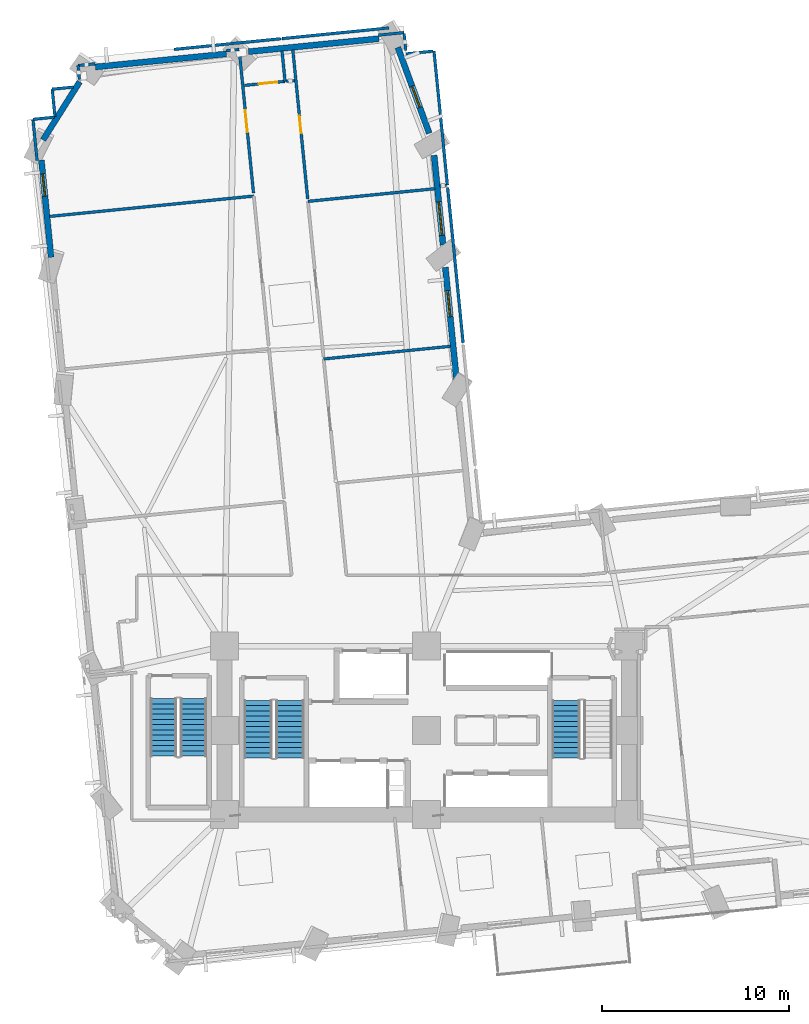
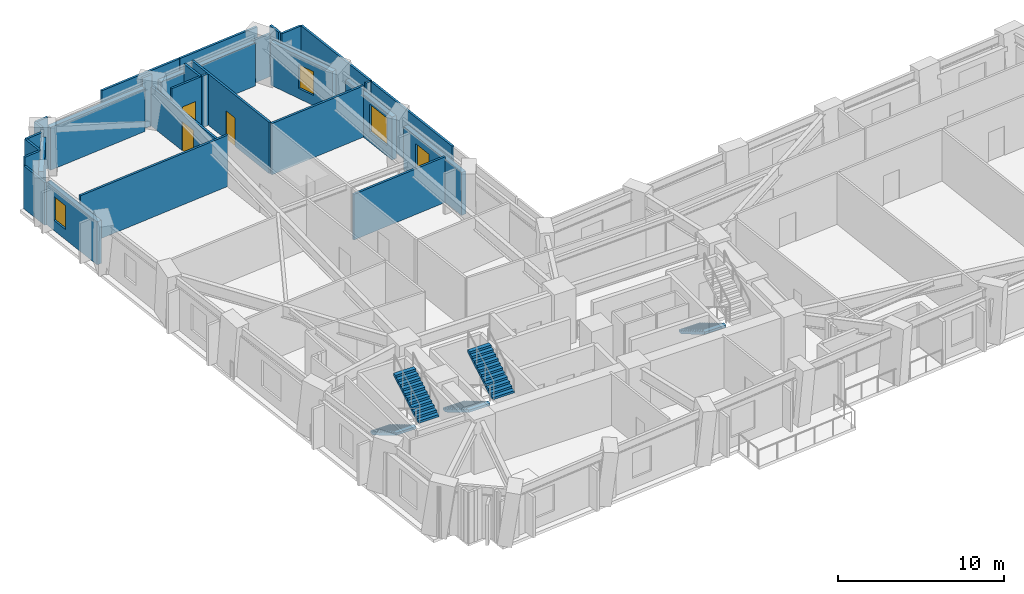
# One storey, part 11 of 16: 30 walls, 5 stair flights, 4 windows, 3 doors, 7 openings, 3 elements without a shape of their own.
"""IFC4 building model written with IfcOpenShell, lengths in metres."""

from ifc_helpers import new_model, si_unit, direction, frame, frame_2d, origin, place, context, subcontext, project, spatial, polyline, rectangle, outline, extrude, material, layer, layer_set, type_object, element, fill, aggregate, save


model = new_model("IFC4")

# Units and contexts
model_context = context("Model", 3, precision=1e-05, world=origin(), true_north=direction((0.0, 1.0)))
body_context = subcontext(model_context, "Body", "Model", "MODEL_VIEW")
ifc_project = project(units=[si_unit("LENGTHUNIT", "METRE"), si_unit("AREAUNIT", "SQUARE_METRE"), si_unit("VOLUMEUNIT", "CUBIC_METRE"), si_unit("PLANEANGLEUNIT", "RADIAN"), si_unit("MASSUNIT", "GRAM", prefix="KILO")], contexts=[model_context])

# Site, building, storey
site_placement = place(None, origin())
site = spatial("IfcSite", under=ifc_project, at=site_placement, CompositionType="ELEMENT")
building_placement = place(site_placement, origin())
building = spatial("IfcBuilding", under=site, at=building_placement, Name="Gaonmaruhae Medical Tower", CompositionType="ELEMENT")
storey_placement = place(building_placement, frame((0.0, 0.0, 47.0)))
storey = spatial("IfcBuildingStorey", under=building, at=storey_placement, Name="L10", CompositionType="ELEMENT", Elevation=47.0)

# Wall, opening, window
ifc_material_1 = material(Name="Precast concrete C45/55", Category="concrete")
ifc_layer_1 = layer(ifc_material_1, 0.320068359375)
ifc_layer_set_1 = layer_set([ifc_layer_1], Name="Precast concrete C45/55")
wall_type_1 = type_object("IfcWallType", Name="EW-320 Lower Precast Masonry-Frame Facade Wall", PredefinedType="SOLIDWALL", material=ifc_layer_set_1)
wall_1_placement = place(storey_placement, frame((26.39208984375, 31.06591796875, 0.0), z_axis=(0.0, 0.0, 1.0), x_axis=(-0.099342473641, 0.995053301553, 0.0)))
wall_1 = element("IfcWall", 1, at=wall_1_placement, inside=storey, type_object=wall_type_1, Name="L10 Precast Masonry-Frame Wall NE01-NE02", PredefinedType="SOLIDWALL", context=body_context, shape_type="SweptSolid", body=[
    extrude(rectangle(XDim=5.996337890625, YDim=0.320068359375, at=frame_2d((2.998046875, 0.0))), origin(), (0.0, 0.0, 1.0), 3.1650390625),
])
opening_1_placement = place(wall_1_placement, frame((3.345703125, 0.0, 0.75)))
opening_1 = element("IfcOpeningElement", 2, at=opening_1_placement, cuts=wall_1, Name="Opening WN-03", PredefinedType="OPENING", context=body_context, shape_type="SweptSolid", body=[
    extrude(rectangle(XDim=1.39990234375, YDim=1.85009765625, at=frame_2d((0.699951171875, 0.925048828125))), frame((0.0, 0.169921875, 0.0), z_axis=(0.0, -1.0, 0.0), x_axis=(1.0, 0.0, 0.0)), (0.0, 0.0, 1.0), 0.340087890625),
])
ifc_material_2 = material(Name="Anodised aluminium and Low-E double glazing", Category="aluminium")
window_type_1 = type_object("IfcWindowType", Name="WN-03 Isolation Ward Punched Window 1400x1850", PartitioningType="SINGLE_PANEL", PredefinedType="WINDOW", material=ifc_material_2)
window_1_placement = place(opening_1_placement, origin())
window_1 = element("IfcWindow", 3, at=window_1_placement, inside=storey, type_object=window_type_1, Name="L10 Modular Facade Window NE01", OverallHeight=1.85009765625, OverallWidth=1.39990234375, PartitioningType="SINGLE_PANEL", PredefinedType="WINDOW", context=body_context, shape_type="SweptSolid", body=[
    extrude(rectangle(XDim=1.39990234375, YDim=1.85009765625, at=frame_2d((0.699951171875, 0.925048828125))), frame((0.0, 0.030029296875, 0.0), z_axis=(0.0, -1.0, 0.0), x_axis=(1.0, 0.0, 0.0)), (0.0, 0.0, 1.0), 0.06005859375),
])
fill(opening_1, window_1)

wall_2_placement = place(storey_placement, frame((25.677734375, 38.2216796875, 0.0), z_axis=(0.0, 0.0, 1.0), x_axis=(-0.099302961989, 0.995057245459, 0.0)))
wall_2 = element("IfcWall", 4, at=wall_2_placement, inside=storey, type_object=wall_type_1, Name="L10 Precast Masonry-Frame Wall NE02-NE03", PredefinedType="SOLIDWALL", context=body_context, shape_type="SweptSolid", body=[
    extrude(rectangle(XDim=4.81640625, YDim=0.320068359375, at=frame_2d((2.408203125, 0.0))), origin(), (0.0, 0.0, 1.0), 3.1650390625),
])
opening_2_placement = place(wall_2_placement, frame((0.51611328125, 0.0, 0.75)))
opening_2 = element("IfcOpeningElement", 5, at=opening_2_placement, cuts=wall_2, Name="Opening WN-04", PredefinedType="OPENING", context=body_context, shape_type="SweptSolid", body=[
    extrude(rectangle(XDim=1.800048828125, YDim=2.050048828125, at=frame_2d((0.89990234375, 1.02490234375))), frame((0.0, 0.169921875, 0.0), z_axis=(0.0, -1.0, 0.0), x_axis=(1.0, 0.0, 0.0)), (0.0, 0.0, 1.0), 0.340087890625),
])
window_type_2 = type_object("IfcWindowType", Name="WN-04 Clinic & Consult Punched Window 1800x2050", PartitioningType="SINGLE_PANEL", PredefinedType="WINDOW", material=ifc_material_2)
window_2_placement = place(opening_2_placement, origin())
window_2 = element("IfcWindow", 6, at=window_2_placement, inside=storey, type_object=window_type_2, Name="L10 Modular Facade Window NE02", OverallHeight=2.050048828125, OverallWidth=1.800048828125, PartitioningType="SINGLE_PANEL", PredefinedType="WINDOW", context=body_context, shape_type="SweptSolid", body=[
    extrude(rectangle(XDim=1.800048828125, YDim=2.050048828125, at=frame_2d((0.89990234375, 1.02490234375))), frame((0.0, 0.030029296875, 0.0), z_axis=(0.0, -1.0, 0.0), x_axis=(1.0, 0.0, 0.0)), (0.0, 0.0, 1.0), 0.06005859375),
])
fill(opening_2, window_2)

wall_3_placement = place(storey_placement, frame((23.261474609375, 48.779541015625, 0.0), z_axis=(0.0, 0.0, 1.0), x_axis=(0.34334628569, -0.939208884169, 0.0)))
wall_3 = element("IfcWall", 7, at=wall_3_placement, inside=storey, type_object=wall_type_1, Name="L10 Precast Masonry-Frame Wall NE03-N01", PredefinedType="SOLIDWALL", context=body_context, shape_type="SweptSolid", body=[
    extrude(rectangle(XDim=4.88916015625, YDim=0.320068359375, at=frame_2d((2.444580078125, 0.0))), origin(), (0.0, 0.0, 1.0), 3.1650390625),
])
opening_3_placement = place(wall_3_placement, frame((2.21484375, 0.0, 0.75)))
opening_3 = element("IfcOpeningElement", 8, at=opening_3_placement, cuts=wall_3, Name="Opening WN-05", PredefinedType="OPENING", context=body_context, shape_type="SweptSolid", body=[
    extrude(rectangle(XDim=1.199951171875, YDim=1.75, at=frame_2d((0.60009765625, 0.875))), frame((0.0, 0.169921875, 0.0), z_axis=(0.0, -1.0, 0.0), x_axis=(1.0, 0.0, 0.0)), (0.0, 0.0, 1.0), 0.340087890625),
])
window_type_3 = type_object("IfcWindowType", Name="WN-05 Support & Staff Punched Window 1200x1750", PartitioningType="SINGLE_PANEL", PredefinedType="WINDOW", material=ifc_material_2)
window_3_placement = place(opening_3_placement, origin())
window_3 = element("IfcWindow", 9, at=window_3_placement, inside=storey, type_object=window_type_3, Name="L10 Modular Facade Window NE03", OverallHeight=1.75, OverallWidth=1.199951171875, PartitioningType="SINGLE_PANEL", PredefinedType="WINDOW", context=body_context, shape_type="SweptSolid", body=[
    extrude(rectangle(XDim=1.199951171875, YDim=1.75, at=frame_2d((0.60009765625, 0.875))), frame((0.0, 0.030029296875, 0.0), z_axis=(0.0, -1.0, 0.0), x_axis=(1.0, 0.0, 0.0)), (0.0, 0.0, 1.0), 0.06005859375),
])
fill(opening_3, window_3)

# Walls
wall_4_placement = place(storey_placement, frame((15.283203125, 48.548095703125, 0.0), z_axis=(0.0, 0.0, 1.0), x_axis=(0.995052021169, 0.099355297633, 0.0)))
element("IfcWall", 10, at=wall_4_placement, inside=storey, type_object=wall_type_1, Name="L10 Precast Masonry-Frame Wall N01-N02", PredefinedType="SOLIDWALL", context=body_context, shape_type="SweptSolid", body=[
    extrude(rectangle(XDim=7.003173828125, YDim=0.320068359375, at=frame_2d((3.50146484375, 0.0))), origin(), (0.0, 0.0, 1.0), 3.1650390625),
])
wall_5_placement = place(storey_placement, frame((7.1044921875, 47.73193359375, 0.0), z_axis=(0.0, 0.0, 1.0), x_axis=(0.995058471393, 0.09929067685, 0.0)))
element("IfcWall", 11, at=wall_5_placement, inside=storey, type_object=wall_type_1, Name="L10 Precast Masonry-Frame Wall N02-N03", PredefinedType="SOLIDWALL", context=body_context, shape_type="SweptSolid", body=[
    extrude(rectangle(XDim=7.03466796875, YDim=0.320068359375, at=frame_2d((3.517333984375, 0.0))), origin(), (0.0, 0.0, 1.0), 3.1650390625),
])
wall_6_placement = place(storey_placement, frame((4.310302734375, 43.836181640625, 0.0), z_axis=(0.0, 0.0, 1.0), x_axis=(0.533233582552, 0.845968052848, 0.0)))
element("IfcWall", 12, at=wall_6_placement, inside=storey, type_object=wall_type_1, Name="L10 Precast Masonry-Frame Wall N03-W01", PredefinedType="SOLIDWALL", context=body_context, shape_type="SweptSolid", body=[
    extrude(rectangle(XDim=3.666015625, YDim=0.320068359375, at=frame_2d((1.8330078125, 0.0))), origin(), (0.0, 0.0, 1.0), 3.1650390625),
])

# Wall, opening, window
wall_7_placement = place(storey_placement, frame((4.73974609375, 37.563232421875, 0.0), z_axis=(0.0, 0.0, 1.0), x_axis=(-0.099327854521, 0.995054760964, 0.0)))
wall_7 = element("IfcWall", 13, at=wall_7_placement, inside=storey, type_object=wall_type_1, Name="L10 Precast Masonry-Frame Wall W01-W02", PredefinedType="SOLIDWALL", context=body_context, shape_type="SweptSolid", body=[
    extrude(rectangle(XDim=5.22314453125, YDim=0.320068359375, at=frame_2d((2.611572265625, 0.0))), origin(), (0.0, 0.0, 1.0), 3.1650390625),
])
opening_4_placement = place(wall_7_placement, frame((3.282470703125, 0.0, 0.75)))
opening_4 = element("IfcOpeningElement", 14, at=opening_4_placement, cuts=wall_7, Name="Opening WN-05", PredefinedType="OPENING", context=body_context, shape_type="SweptSolid", body=[
    extrude(rectangle(XDim=1.199951171875, YDim=1.75, at=frame_2d((0.60009765625, 0.875))), frame((0.0, 0.169921875, 0.0), z_axis=(0.0, -1.0, 0.0), x_axis=(1.0, 0.0, 0.0)), (0.0, 0.0, 1.0), 0.340087890625),
])
window_4_placement = place(opening_4_placement, origin())
window_4 = element("IfcWindow", 15, at=window_4_placement, inside=storey, type_object=window_type_3, Name="L10 Modular Facade Window W01", OverallHeight=1.75, OverallWidth=1.199951171875, PartitioningType="SINGLE_PANEL", PredefinedType="WINDOW", context=body_context, shape_type="SweptSolid", body=[
    extrude(rectangle(XDim=1.199951171875, YDim=1.75, at=frame_2d((0.60009765625, 0.875))), frame((0.0, 0.030029296875, 0.0), z_axis=(0.0, -1.0, 0.0), x_axis=(1.0, 0.0, 0.0)), (0.0, 0.0, 1.0), 0.06005859375),
])
fill(opening_4, window_4)

# Walls
ifc_material_3 = material(Name="Gypsum board partition", Category="gypsum")
ifc_layer_2 = layer(ifc_material_3, 0.14990234375)
ifc_layer_set_2 = layer_set([ifc_layer_2], Name="Gypsum board partition")
wall_type_2 = type_object("IfcWallType", Name="PW-150 Rated Clinical Corridor Partition", PredefinedType="PARTITIONING", material=ifc_layer_set_2)
wall_8_placement = place(storey_placement, frame((4.656982421875, 39.7490234375, 0.0), z_axis=(0.0, 0.0, 1.0), x_axis=(0.99505745033, 0.099300909077, 0.0)))
element("IfcWall", 16, at=wall_8_placement, inside=storey, type_object=wall_type_2, Name="L10 Interior Partition L10-WOF10-57", PredefinedType="PARTITIONING", context=body_context, shape_type="SweptSolid", body=[
    extrude(rectangle(XDim=10.96533203125, YDim=0.14990234375, at=frame_2d((5.482666015625, 0.0))), origin(), (0.0, 0.0, 1.0), 3.780029296875),
])
wall_9_placement = place(storey_placement, frame((4.798095703125, 46.547119140625, 0.0), z_axis=(0.0, 0.0, 1.0), x_axis=(0.995079566283, 0.099079043022, 0.0)))
element("IfcWall", 17, at=wall_9_placement, inside=storey, type_object=wall_type_2, Name="L10 Interior Partition L10-WOF11-60", PredefinedType="PARTITIONING", context=body_context, shape_type="SweptSolid", body=[
    extrude(rectangle(XDim=1.138427734375, YDim=0.14990234375, at=frame_2d((0.5693359375, 0.0))), origin(), (0.0, 0.0, 1.0), 3.780029296875),
])
wall_10_placement = place(storey_placement, frame((6.2529296875, 47.072021484375, 0.0), z_axis=(0.0, 0.0, 1.0), x_axis=(-0.09973183877, 0.995014351824, 0.0)))
element("IfcWall", 18, at=wall_10_placement, inside=storey, type_object=wall_type_2, Name="L10 Interior Partition L10-WOF11-61", PredefinedType="PARTITIONING", context=body_context, shape_type="SweptSolid", body=[
    extrude(rectangle(XDim=0.74169921875, YDim=0.14990234375, at=frame_2d((0.370849609375, 0.0))), origin(), (0.0, 0.0, 1.0), 3.780029296875),
])
wall_11_placement = place(storey_placement, frame((6.178955078125, 47.81005859375, 0.0), z_axis=(0.0, 0.0, 1.0), x_axis=(0.995045125747, 0.099424331662, 0.0)))
element("IfcWall", 19, at=wall_11_placement, inside=storey, type_object=wall_type_2, Name="L10 Interior Partition L10-WOF11-62", PredefinedType="PARTITIONING", context=body_context, shape_type="SweptSolid", body=[
    extrude(rectangle(XDim=0.91357421875, YDim=0.14990234375, at=frame_2d((0.456787109375, 0.0))), origin(), (0.0, 0.0, 1.0), 3.780029296875),
])
wall_12_placement = place(storey_placement, frame((14.087890625, 48.59912109375, 0.0), z_axis=(0.0, 0.0, 1.0), x_axis=(0.995033743716, 0.09953817793, 0.0)))
element("IfcWall", 20, at=wall_12_placement, inside=storey, type_object=wall_type_2, Name="L10 Interior Partition L10-WOF11-63", PredefinedType="PARTITIONING", context=body_context, shape_type="SweptSolid", body=[
    extrude(rectangle(XDim=0.701416015625, YDim=0.14990234375, at=frame_2d((0.3505859375, 0.0))), origin(), (0.0, 0.0, 1.0), 3.780029296875),
])

# Wall, opening, door
wall_13_placement = place(storey_placement, frame((14.785888671875, 48.6689453125, 0.0), z_axis=(0.0, 0.0, 1.0), x_axis=(0.09937829522, -0.995049724606, 0.0)))
wall_13 = element("IfcWall", 21, at=wall_13_placement, inside=storey, type_object=wall_type_2, Name="L10 Interior Partition L10-WOF11-64", PredefinedType="PARTITIONING", context=body_context, shape_type="SweptSolid", body=[
    extrude(rectangle(XDim=7.708984375, YDim=0.14990234375, at=frame_2d((3.8544921875, 0.0))), origin(), (0.0, 0.0, 1.0), 2.864990234375),
])
opening_5_placement = place(wall_13_placement, frame((3.254638671875, 0.0, 0.0)))
opening_5 = element("IfcOpeningElement", 22, at=opening_5_placement, cuts=wall_13, Name="Opening CD-02", PredefinedType="OPENING", context=body_context, shape_type="SweptSolid", body=[
    extrude(rectangle(XDim=1.199951171875, YDim=2.14990234375, at=frame_2d((0.60009765625, 1.074951171875))), frame((0.0, 0.0849609375, 0.0), z_axis=(0.0, -1.0, 0.0), x_axis=(1.0, 0.0, 0.0)), (0.0, 0.0, 1.0), 0.169921875),
])
ifc_material_4 = material(Name="Antimicrobial laminate timber fire door", Category="wood")
door_type_1 = type_object("IfcDoorType", Name="CD-02 Clinical Treatment & Procedure Door 1200x2150", OperationType="NOTDEFINED", PredefinedType="DOOR", material=ifc_material_4)
door_1_placement = place(opening_5_placement, origin())
door_1 = element("IfcDoor", 23, at=door_1_placement, inside=storey, type_object=door_type_1, Name="L10 Ward Physician Reporting Office Door", OperationType="SINGLE_SWING_LEFT", OverallHeight=2.14990234375, OverallWidth=1.199951171875, PredefinedType="DOOR", context=body_context, shape_type="SweptSolid", body=[
    extrude(rectangle(XDim=1.199951171875, YDim=2.14990234375, at=frame_2d((0.60009765625, 1.074951171875))), frame((0.0, 0.02490234375, 0.0), z_axis=(0.0, -1.0, 0.0), x_axis=(1.0, 0.0, 0.0)), (0.0, 0.0, 1.0), 0.050048828125),
])
fill(opening_5, door_1)

# Walls
wall_14_placement = place(storey_placement, frame((3.991943359375, 42.738037109375, 0.0), z_axis=(0.0, 0.0, 1.0), x_axis=(-0.099098988495, 0.995077580131, 0.0)))
element("IfcWall", 24, at=wall_14_placement, inside=storey, type_object=wall_type_2, Name="L10 Interior Partition L10-WOF11-65", PredefinedType="PARTITIONING", context=body_context, shape_type="SweptSolid", body=[
    extrude(rectangle(XDim=2.2099609375, YDim=0.14990234375, at=frame_2d((1.10498046875, 0.0))), origin(), (0.0, 0.0, 1.0), 3.1650390625),
])
wall_15_placement = place(storey_placement, frame((3.77294921875, 44.93701171875, 0.0), z_axis=(0.0, 0.0, 1.0), x_axis=(0.995062409182, 0.0992512057, 0.0)))
element("IfcWall", 25, at=wall_15_placement, inside=storey, type_object=wall_type_2, Name="L10 Interior Partition L10-WOF11-66", PredefinedType="PARTITIONING", context=body_context, shape_type="SweptSolid", body=[
    extrude(rectangle(XDim=1.148681640625, YDim=0.14990234375, at=frame_2d((0.57421875, 0.0))), origin(), (0.0, 0.0, 1.0), 3.780029296875),
])
wall_16_placement = place(storey_placement, frame((4.943115234375, 45.093017578125, 0.0), z_axis=(0.0, 0.0, 1.0), x_axis=(-0.099239051564, 0.995063621406, 0.0)))
element("IfcWall", 26, at=wall_16_placement, inside=storey, type_object=wall_type_2, Name="L10 Interior Partition L10-WOF11-67", PredefinedType="PARTITIONING", context=body_context, shape_type="SweptSolid", body=[
    extrude(rectangle(XDim=1.46142578125, YDim=0.14990234375, at=frame_2d((0.730712890625, 0.0))), origin(), (0.0, 0.0, 1.0), 3.780029296875),
])
wall_17_placement = place(storey_placement, frame((19.301025390625, 32.135986328125, 0.0), z_axis=(0.0, 0.0, 1.0), x_axis=(0.995053139262, 0.099344099196, 0.0)))
element("IfcWall", 27, at=wall_17_placement, inside=storey, type_object=wall_type_2, Name="L10 Interior Partition L10-IN01-85", PredefinedType="PARTITIONING", context=body_context, shape_type="SweptSolid", body=[
    extrude(rectangle(XDim=6.814697265625, YDim=0.14990234375, at=frame_2d((3.4072265625, 0.0))), origin(), (0.0, 0.0, 1.0), 3.364990234375),
])
wall_18_placement = place(storey_placement, frame((18.4599609375, 40.553955078125, 0.0), z_axis=(0.0, 0.0, 1.0), x_axis=(0.995054553243, 0.099329935424, 0.0)))
element("IfcWall", 28, at=wall_18_placement, inside=storey, type_object=wall_type_2, Name="L10 Interior Partition L10-IN02-88", PredefinedType="PARTITIONING", context=body_context, shape_type="SweptSolid", body=[
    extrude(rectangle(XDim=6.815673828125, YDim=0.14990234375, at=frame_2d((3.40771484375, 0.0))), origin(), (0.0, 0.0, 1.0), 3.780029296875),
])
wall_19_placement = place(storey_placement, frame((25.923095703125, 41.299072265625, 0.0), z_axis=(0.0, 0.0, 1.0), x_axis=(0.099379094054, -0.995049644824, 0.0)))
element("IfcWall", 29, at=wall_19_placement, inside=storey, type_object=wall_type_2, Name="L10 Interior Partition L10-IN02-89", PredefinedType="PARTITIONING", context=body_context, shape_type="SweptSolid", body=[
    extrude(rectangle(XDim=8.34033203125, YDim=0.14990234375, at=frame_2d((4.170166015625, 0.0))), origin(), (0.0, 0.0, 1.0), 3.780029296875),
])
wall_20_placement = place(storey_placement, frame((25.196044921875, 48.5830078125, 0.0), z_axis=(0.0, 0.0, 1.0), x_axis=(0.099288840673, -0.995058654612, 0.0)))
element("IfcWall", 30, at=wall_20_placement, inside=storey, type_object=wall_type_2, Name="L10 Interior Partition L10-IN03-90", PredefinedType="PARTITIONING", context=body_context, shape_type="SweptSolid", body=[
    extrude(rectangle(XDim=7.19970703125, YDim=0.14990234375, at=frame_2d((3.599853515625, 0.0))), origin(), (0.0, 0.0, 1.0), 3.780029296875),
])
wall_21_placement = place(storey_placement, frame((25.861083984375, 41.4140625, 0.0), z_axis=(0.0, 0.0, 1.0), x_axis=(-0.99508346153, -0.099039914127, 0.0)))
element("IfcWall", 31, at=wall_21_placement, inside=storey, type_object=wall_type_2, Name="L10 Interior Partition L10-IN03-91", PredefinedType="PARTITIONING", context=body_context, shape_type="SweptSolid", body=[
    extrude(rectangle(XDim=0.36474609375, YDim=0.14990234375, at=frame_2d((0.182373046875, 0.0))), origin(), (0.0, 0.0, 1.0), 3.780029296875),
])

# Wall, opening, door
wall_22_placement = place(storey_placement, frame((18.448974609375, 40.674072265625, 0.0), z_axis=(0.0, 0.0, 1.0), x_axis=(-0.09942831748, 0.995044727479, 0.0)))
wall_22 = element("IfcWall", 32, at=wall_22_placement, inside=storey, type_object=wall_type_2, Name="L10 Interior Partition L10-IN03-92", PredefinedType="PARTITIONING", context=body_context, shape_type="SweptSolid", body=[
    extrude(rectangle(XDim=8.0146484375, YDim=0.14990234375, at=frame_2d((4.00732421875, 0.0))), origin(), (0.0, 0.0, 1.0), 3.780029296875),
])
opening_6_placement = place(wall_22_placement, frame((3.54736328125, 0.0, 0.0)))
opening_6 = element("IfcOpeningElement", 33, at=opening_6_placement, cuts=wall_22, Name="Opening UD-01", PredefinedType="OPENING", context=body_context, shape_type="SweptSolid", body=[
    extrude(rectangle(XDim=0.919921875, YDim=2.10009765625, at=frame_2d((0.4599609375, 1.050048828125))), frame((0.0, 0.0849609375, 0.0), z_axis=(0.0, -1.0, 0.0), x_axis=(1.0, 0.0, 0.0)), (0.0, 0.0, 1.0), 0.169921875),
])
ifc_material_5 = material(Name="Powder-coated steel utility door", Category="steel")
door_type_2 = type_object("IfcDoorType", Name="UD-01 Toilet, Utility & Housekeeping Door 920x2100", OperationType="NOTDEFINED", PredefinedType="DOOR", material=ifc_material_5)
door_2_placement = place(opening_6_placement, origin())
door_2 = element("IfcDoor", 34, at=door_2_placement, inside=storey, type_object=door_type_2, Name="L10 Public Visitor Toilet Door", OperationType="SINGLE_SWING_LEFT", OverallHeight=2.10009765625, OverallWidth=0.919921875, PredefinedType="DOOR", context=body_context, shape_type="SweptSolid", body=[
    extrude(rectangle(XDim=0.919921875, YDim=2.10009765625, at=frame_2d((0.4599609375, 1.050048828125))), frame((0.0, 0.02490234375, 0.0), z_axis=(0.0, -1.0, 0.0), x_axis=(1.0, 0.0, 0.0)), (0.0, 0.0, 1.0), 0.050048828125),
])
fill(opening_6, door_2)

# Walls
wall_23_placement = place(storey_placement, frame((22.23291015625, 49.431884765625, 0.0), z_axis=(0.0, 0.0, 1.0), x_axis=(0.995007039251, 0.099804768632, 0.0)))
element("IfcWall", 35, at=wall_23_placement, inside=storey, type_object=wall_type_2, Name="L10 Interior Partition L10-IN03-93", PredefinedType="PARTITIONING", context=body_context, shape_type="SweptSolid", body=[
    extrude(rectangle(XDim=1.364990234375, YDim=0.14990234375, at=frame_2d((0.6826171875, 0.0))), origin(), (0.0, 0.0, 1.0), 3.1650390625),
])
wall_24_placement = place(storey_placement, frame((23.595947265625, 49.51806640625, 0.0), z_axis=(0.0, 0.0, 1.0), x_axis=(0.099345494906, -0.995052999916, 0.0)))
element("IfcWall", 36, at=wall_24_placement, inside=storey, type_object=wall_type_2, Name="L10 Interior Partition L10-IN03-94", PredefinedType="PARTITIONING", context=body_context, shape_type="SweptSolid", body=[
    extrude(rectangle(XDim=0.916748046875, YDim=0.14990234375, at=frame_2d((0.45849609375, 0.0))), origin(), (0.0, 0.0, 1.0), 3.780029296875),
])
wall_25_placement = place(storey_placement, frame((23.7041015625, 48.43408203125, 0.0), z_axis=(0.0, 0.0, 1.0), x_axis=(0.995063844877, 0.099236810808, 0.0)))
element("IfcWall", 37, at=wall_25_placement, inside=storey, type_object=wall_type_2, Name="L10 Interior Partition L10-IN03-95", PredefinedType="PARTITIONING", context=body_context, shape_type="SweptSolid", body=[
    extrude(rectangle(XDim=1.448974609375, YDim=0.14990234375, at=frame_2d((0.724609375, 0.0))), origin(), (0.0, 0.0, 1.0), 3.780029296875),
])
wall_26_placement = place(storey_placement, frame((11.299072265625, 48.673095703125, 0.0), z_axis=(0.0, 0.0, 1.0), x_axis=(0.995059067084, 0.099284706847, 0.0)))
element("IfcWall", 38, at=wall_26_placement, inside=storey, type_object=wall_type_2, Name="L10 Interior Partition L10-RM01-96", PredefinedType="PARTITIONING", context=body_context, shape_type="SweptSolid", body=[
    extrude(rectangle(XDim=5.7392578125, YDim=0.14990234375, at=frame_2d((2.86962890625, 0.0))), origin(), (0.0, 0.0, 1.0), 3.780029296875),
])
wall_27_placement = place(storey_placement, frame((17.074951171875, 48.591064453125, 0.0), z_axis=(0.0, 0.0, 1.0), x_axis=(0.099740249677, -0.99501350875, 0.0)))
element("IfcWall", 39, at=wall_27_placement, inside=storey, type_object=wall_type_2, Name="L10 Interior Partition L10-RM01-97", PredefinedType="PARTITIONING", context=body_context, shape_type="SweptSolid", body=[
    extrude(rectangle(XDim=1.635009765625, YDim=0.14990234375, at=frame_2d((0.8173828125, 0.0))), origin(), (0.0, 0.0, 1.0), 3.780029296875),
])

# Wall, opening, door
wall_28_placement = place(storey_placement, frame((17.238037109375, 46.964111328125, 0.0), z_axis=(0.0, 0.0, 1.0), x_axis=(-0.995088233916, -0.098991952809, 0.0)))
wall_28 = element("IfcWall", 40, at=wall_28_placement, inside=storey, type_object=wall_type_2, Name="L10 Interior Partition L10-RM01-98", PredefinedType="PARTITIONING", context=body_context, shape_type="SweptSolid", body=[
    extrude(rectangle(XDim=2.1728515625, YDim=0.14990234375, at=frame_2d((1.08642578125, 0.0))), origin(), (0.0, 0.0, 1.0), 3.780029296875),
])
opening_7_placement = place(wall_28_placement, frame((0.4208984375, 0.0, 0.0)))
opening_7 = element("IfcOpeningElement", 41, at=opening_7_placement, cuts=wall_28, Name="Opening CD-01", PredefinedType="OPENING", context=body_context, shape_type="SweptSolid", body=[
    extrude(rectangle(XDim=1.0, YDim=2.1201171875, at=frame_2d((0.5, 1.06005859375))), frame((0.0, 0.0849609375, 0.0), z_axis=(0.0, -1.0, 0.0), x_axis=(1.0, 0.0, 0.0)), (0.0, 0.0, 1.0), 0.169921875),
])
door_type_3 = type_object("IfcDoorType", Name="CD-01 Consultation & Physician Office Door 1000x2120", OperationType="NOTDEFINED", PredefinedType="DOOR", material=ifc_material_4)
door_3_placement = place(opening_7_placement, origin())
door_3 = element("IfcDoor", 42, at=door_3_placement, inside=storey, type_object=door_type_3, Name="L10 Clinical Case Review Office Door", OperationType="SINGLE_SWING_LEFT", OverallHeight=2.1201171875, OverallWidth=1.0, PredefinedType="DOOR", context=body_context, shape_type="SweptSolid", body=[
    extrude(rectangle(XDim=1.0, YDim=2.1201171875, at=frame_2d((0.5, 1.06005859375))), frame((0.0, 0.02490234375, 0.0), z_axis=(0.0, -1.0, 0.0), x_axis=(1.0, 0.0, 0.0)), (0.0, 0.0, 1.0), 0.050048828125),
])
fill(opening_7, door_3)

# Walls
wall_29_placement = place(storey_placement, frame((17.739990234375, 47.00390625, 0.0), z_axis=(0.0, 0.0, 1.0), x_axis=(-0.997077075008, -0.0764022676, 0.0)))
element("IfcWall", 43, at=wall_29_placement, inside=storey, type_object=wall_type_2, Name="L10 Interior Partition L10-RM02-99", PredefinedType="PARTITIONING", context=body_context, shape_type="SweptSolid", body=[
    extrude(rectangle(XDim=0.444091796875, YDim=0.14990234375, at=frame_2d((0.22216796875, 0.0))), origin(), (0.0, 0.0, 1.0), 3.780029296875),
])
wall_30_placement = place(storey_placement, frame((17.070068359375, 49.2490234375, 0.0), z_axis=(0.0, 0.0, 1.0), x_axis=(0.995056541935, 0.099310011345, 0.0)))
element("IfcWall", 44, at=wall_30_placement, inside=storey, type_object=wall_type_2, Name="L10 Interior Partition L10-RM02-100", PredefinedType="PARTITIONING", context=body_context, shape_type="SweptSolid", body=[
    extrude(rectangle(XDim=5.740234375, YDim=0.14990234375, at=frame_2d((2.8701171875, 0.0))), origin(), (0.0, 0.0, 1.0), 3.780029296875),
])

# Stair, stair flights
ifc_material_6 = material(Name="Concrete C40/50", Category="concrete")
stair_type_1 = type_object("IfcStairType", Name="ST-T1 Primary Core Escape Dogleg Stair", PredefinedType="TWO_QUARTER_TURN_STAIR", material=ifc_material_6)
stair_1_placement = place(storey_placement, origin())
stair_1 = element("IfcStair", 45, at=stair_1_placement, inside=storey, type_object=stair_type_1, Name="L10 Protected Escape Stair ST-01", PredefinedType="TWO_QUARTER_TURN_STAIR")
stair_flight_type_1 = type_object("IfcStairFlightType", Name="SF-T1 Primary Core Precast Stair Flight", PredefinedType="STRAIGHT", material=ifc_material_6)
stair_flight_1_placement = place(storey_placement, frame((15.800048828125, 13.89990234375, 0.0), z_axis=(0.0, 0.0, 1.0), x_axis=(0.0, -1.0, 0.0)))
stair_flight_1 = element("IfcStairFlight", 46, at=stair_flight_1_placement, type_object=stair_flight_type_1, Name="ST-01 flight 1", NumberOfRisers=12, NumberOfTreads=11, PredefinedType="STRAIGHT", RiserHeight=0.166666667, TreadLength=0.28, context=body_context, shape_type="SweptSolid", body=[
    extrude(outline(polyline([(0.0, 0.0), (0.0, 0.166748046875), (0.280029296875, 0.166748046875), (0.280029296875, 0.333251953125), (0.56005859375, 0.333251953125), (0.56005859375, 0.5), (0.840087890625, 0.5), (0.840087890625, 0.666748046875), (1.1201171875, 0.666748046875), (1.1201171875, 0.833251953125), (1.39990234375, 0.833251953125), (1.39990234375, 1.0), (1.679931640625, 1.0), (1.679931640625, 1.166748046875), (1.9599609375, 1.166748046875), (1.9599609375, 1.333251953125), (2.239990234375, 1.333251953125), (2.239990234375, 1.5), (2.52001953125, 1.5), (2.52001953125, 1.666748046875), (2.800048828125, 1.666748046875), (2.800048828125, 1.833251953125), (3.080078125, 1.833251953125), (3.080078125, 2.0), (3.080078125, 1.658935546875), (0.29296875, 0.0), (0.0, 0.0)])), frame((0.0, 0.75, 0.0), z_axis=(0.0, -1.0, 0.0), x_axis=(1.0, 0.0, 0.0)), (0.0, 0.0, 1.0), 1.5),
])
stair_flight_2_placement = place(storey_placement, frame((17.5, 10.820068359375, 2.0), z_axis=(0.0, 0.0, 1.0), x_axis=(0.0, 1.0, 0.0)))
stair_flight_2 = element("IfcStairFlight", 47, at=stair_flight_2_placement, type_object=stair_flight_type_1, Name="ST-01 flight 2", NumberOfRisers=12, NumberOfTreads=11, PredefinedType="STRAIGHT", RiserHeight=0.166666667, TreadLength=0.28, context=body_context, shape_type="SweptSolid", body=[
    extrude(outline(polyline([(0.0, 0.0), (0.0, 0.166748046875), (0.280029296875, 0.166748046875), (0.280029296875, 0.333251953125), (0.56005859375, 0.333251953125), (0.56005859375, 0.5), (0.840087890625, 0.5), (0.840087890625, 0.666748046875), (1.1201171875, 0.666748046875), (1.1201171875, 0.833251953125), (1.39990234375, 0.833251953125), (1.39990234375, 1.0), (1.679931640625, 1.0), (1.679931640625, 1.166748046875), (1.9599609375, 1.166748046875), (1.9599609375, 1.333251953125), (2.239990234375, 1.333251953125), (2.239990234375, 1.5), (2.52001953125, 1.5), (2.52001953125, 1.666748046875), (2.800048828125, 1.666748046875), (2.800048828125, 1.833251953125), (3.080078125, 1.833251953125), (3.080078125, 2.0), (3.080078125, 1.658935546875), (0.29296875, 0.0), (0.0, 0.0)])), frame((0.0, 0.75, 0.0), z_axis=(0.0, -1.0, 0.0), x_axis=(1.0, 0.0, 0.0)), (0.0, 0.0, 1.0), 1.5),
])
aggregate(stair_1, [stair_flight_1, stair_flight_2])

# Stair, stair flight
stair_2_placement = place(storey_placement, origin())
stair_2 = element("IfcStair", 48, at=stair_2_placement, inside=storey, type_object=stair_type_1, Name="L10 Protected Escape Stair ST-02", PredefinedType="TWO_QUARTER_TURN_STAIR")
stair_flight_3_placement = place(storey_placement, frame((32.25, 13.89990234375, 0.0), z_axis=(0.0, 0.0, 1.0), x_axis=(0.0, -1.0, 0.0)))
stair_flight_3 = element("IfcStairFlight", 49, at=stair_flight_3_placement, type_object=stair_flight_type_1, Name="ST-02 flight 1", NumberOfRisers=12, NumberOfTreads=11, PredefinedType="STRAIGHT", RiserHeight=0.166666667, TreadLength=0.28, context=body_context, shape_type="SweptSolid", body=[
    extrude(outline(polyline([(0.0, 0.0), (0.0, 0.166748046875), (0.280029296875, 0.166748046875), (0.280029296875, 0.333251953125), (0.56005859375, 0.333251953125), (0.56005859375, 0.5), (0.840087890625, 0.5), (0.840087890625, 0.666748046875), (1.1201171875, 0.666748046875), (1.1201171875, 0.833251953125), (1.39990234375, 0.833251953125), (1.39990234375, 1.0), (1.679931640625, 1.0), (1.679931640625, 1.166748046875), (1.9599609375, 1.166748046875), (1.9599609375, 1.333251953125), (2.239990234375, 1.333251953125), (2.239990234375, 1.5), (2.52001953125, 1.5), (2.52001953125, 1.666748046875), (2.800048828125, 1.666748046875), (2.800048828125, 1.833251953125), (3.080078125, 1.833251953125), (3.080078125, 2.0), (3.080078125, 1.658935546875), (0.29296875, 0.0), (0.0, 0.0)])), frame((0.0, 0.75, 0.0), z_axis=(0.0, -1.0, 0.0), x_axis=(1.0, 0.0, 0.0)), (0.0, 0.0, 1.0), 1.5),
])
aggregate(stair_2, [stair_flight_3])

# Stair, stair flights
stair_type_2 = type_object("IfcStairType", Name="ST-T2 Zone 1 Escape Dogleg Stair", PredefinedType="TWO_QUARTER_TURN_STAIR", material=ifc_material_6)
stair_3_placement = place(storey_placement, origin())
stair_3 = element("IfcStair", 50, at=stair_3_placement, inside=storey, type_object=stair_type_2, Name="L10 Protected Escape Stair ST-03", PredefinedType="TWO_QUARTER_TURN_STAIR")
stair_flight_type_2 = type_object("IfcStairFlightType", Name="SF-T2 Zone 1 Precast Stair Flight", PredefinedType="STRAIGHT", material=ifc_material_6)
stair_flight_4_placement = place(storey_placement, frame((10.75, 14.0, 0.0), z_axis=(0.0, 0.0, 1.0), x_axis=(0.0, -1.0, 0.0)))
stair_flight_4 = element("IfcStairFlight", 51, at=stair_flight_4_placement, type_object=stair_flight_type_2, Name="ST-03 flight 1", NumberOfRisers=12, NumberOfTreads=11, PredefinedType="STRAIGHT", RiserHeight=0.166666667, TreadLength=0.28, context=body_context, shape_type="SweptSolid", body=[
    extrude(outline(polyline([(0.0, 0.0), (0.0, 0.166748046875), (0.280029296875, 0.166748046875), (0.280029296875, 0.333251953125), (0.56005859375, 0.333251953125), (0.56005859375, 0.5), (0.840087890625, 0.5), (0.840087890625, 0.666748046875), (1.1201171875, 0.666748046875), (1.1201171875, 0.833251953125), (1.39990234375, 0.833251953125), (1.39990234375, 1.0), (1.679931640625, 1.0), (1.679931640625, 1.166748046875), (1.9599609375, 1.166748046875), (1.9599609375, 1.333251953125), (2.239990234375, 1.333251953125), (2.239990234375, 1.5), (2.52001953125, 1.5), (2.52001953125, 1.666748046875), (2.800048828125, 1.666748046875), (2.800048828125, 1.833251953125), (3.080078125, 1.833251953125), (3.080078125, 2.0), (3.080078125, 1.658935546875), (0.29296875, 0.0), (0.0, 0.0)])), frame((0.0, 0.699951171875, 0.0), z_axis=(0.0, -1.0, 0.0), x_axis=(1.0, 0.0, 0.0)), (0.0, 0.0, 1.0), 1.39990234375),
])
stair_flight_5_placement = place(storey_placement, frame((12.35009765625, 10.919921875, 2.0), z_axis=(0.0, 0.0, 1.0), x_axis=(0.0, 1.0, 0.0)))
stair_flight_5 = element("IfcStairFlight", 52, at=stair_flight_5_placement, type_object=stair_flight_type_2, Name="ST-03 flight 2", NumberOfRisers=12, NumberOfTreads=11, PredefinedType="STRAIGHT", RiserHeight=0.166666667, TreadLength=0.28, context=body_context, shape_type="SweptSolid", body=[
    extrude(outline(polyline([(0.0, 0.0), (0.0, 0.166748046875), (0.280029296875, 0.166748046875), (0.280029296875, 0.333251953125), (0.56005859375, 0.333251953125), (0.56005859375, 0.5), (0.840087890625, 0.5), (0.840087890625, 0.666748046875), (1.1201171875, 0.666748046875), (1.1201171875, 0.833251953125), (1.39990234375, 0.833251953125), (1.39990234375, 1.0), (1.679931640625, 1.0), (1.679931640625, 1.166748046875), (1.9599609375, 1.166748046875), (1.9599609375, 1.333251953125), (2.239990234375, 1.333251953125), (2.239990234375, 1.5), (2.52001953125, 1.5), (2.52001953125, 1.666748046875), (2.800048828125, 1.666748046875), (2.800048828125, 1.833251953125), (3.080078125, 1.833251953125), (3.080078125, 2.0), (3.080078125, 1.658935546875), (0.29296875, 0.0), (0.0, 0.0)])), frame((0.0, 0.699951171875, 0.0), z_axis=(0.0, -1.0, 0.0), x_axis=(1.0, 0.0, 0.0)), (0.0, 0.0, 1.0), 1.39990234375),
])
aggregate(stair_3, [stair_flight_4, stair_flight_5])

save(model, "model.ifc")
